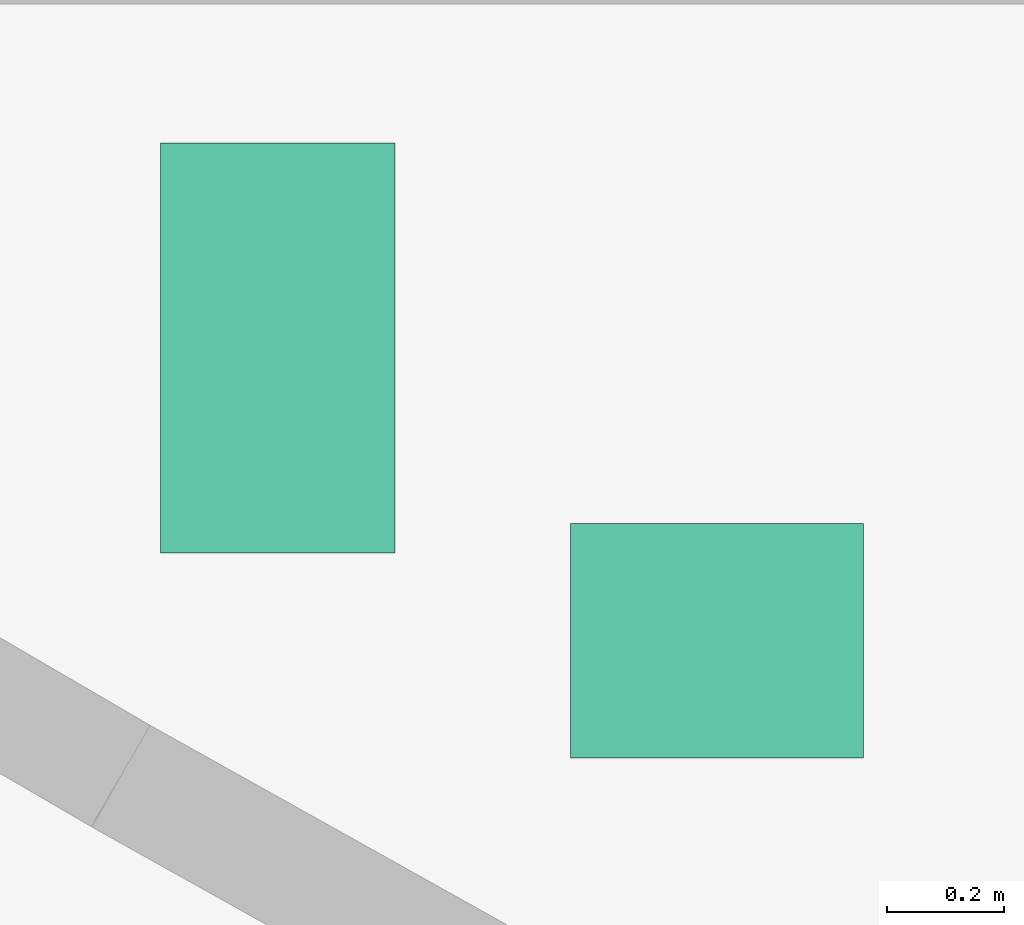
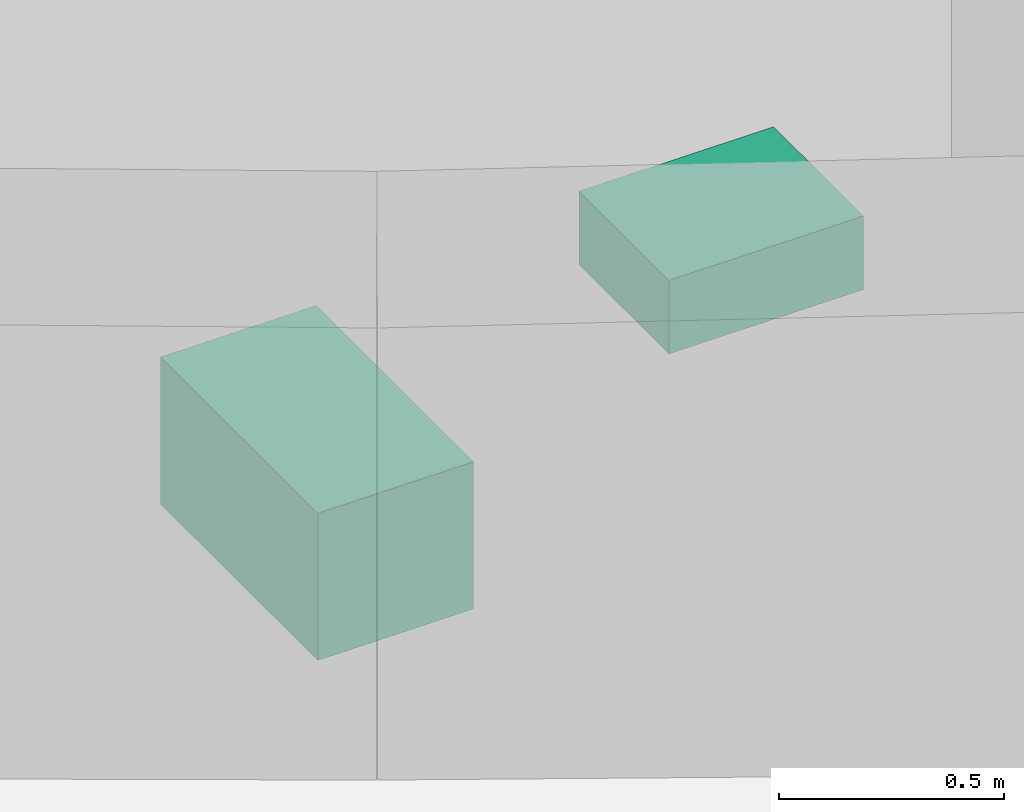
# One storey, part 20 of 20: 2 sanitary terminals.
"""IFC4 building model written with IfcOpenShell, lengths in metres."""

from ifc_helpers import new_model, si_unit, direction, frame, origin, origin_2d, place, context, subcontext, project, spatial, rectangle, extrude, material, type_object, element, save


model = new_model("IFC4")

# Units and contexts
model_context = context("Model", 3, precision=1e-05, world=origin(), true_north=direction((0.0, 1.0)))
body_context = subcontext(model_context, "Body", "Model", "MODEL_VIEW")
ifc_project = project(units=[si_unit("LENGTHUNIT", "METRE"), si_unit("AREAUNIT", "SQUARE_METRE"), si_unit("VOLUMEUNIT", "CUBIC_METRE"), si_unit("PLANEANGLEUNIT", "RADIAN"), si_unit("MASSUNIT", "GRAM", prefix="KILO")], contexts=[model_context])

# Site, building, storey
site_placement = place(None, origin())
site = spatial("IfcSite", under=ifc_project, at=site_placement, CompositionType="ELEMENT")
building_placement = place(site_placement, origin())
building = spatial("IfcBuilding", under=site, at=building_placement, Name="Ostrand Prow Hotel Tower", CompositionType="ELEMENT")
storey_placement = place(building_placement, frame((0.0, 0.0, 35.0)))
storey = spatial("IfcBuildingStorey", under=building, at=storey_placement, Name="L06", CompositionType="ELEMENT", Elevation=35.0)

# Sanitary terminals
ifc_material_1 = material(Name="Vitreous china")
sanitary_terminal_type_1 = type_object("IfcSanitaryTerminalType", Name="WC pan 360x700", PredefinedType="TOILETPAN", material=ifc_material_1)
sanitary_terminal_1_placement = place(storey_placement, frame((22.580078125, -2.17236328125, 0.0), z_axis=(0.0, 0.0, 1.0), x_axis=(1.0, 0.0, 0.0)))
element("IfcSanitaryTerminal", 1, at=sanitary_terminal_1_placement, inside=storey, type_object=sanitary_terminal_type_1, Name="PAN", PredefinedType="TOILETPAN", context=body_context, shape_type="SweptSolid", body=[
    extrude(rectangle(XDim=0.39990234375, YDim=0.699951171875, at=origin_2d()), origin(), (0.0, 0.0, 1.0), 0.39990234375),
])
ifc_material_2 = material(Name="Vitreous china")
sanitary_terminal_type_2 = type_object("IfcSanitaryTerminalType", Name="Wash hand basin 500x400", PredefinedType="WASHHANDBASIN", material=ifc_material_2)
sanitary_terminal_2_placement = place(storey_placement, frame((23.330078125, -2.67236328125, 0.7998046875), z_axis=(0.0, 0.0, 1.0), x_axis=(1.0, 0.0, 0.0)))
element("IfcSanitaryTerminal", 2, at=sanitary_terminal_2_placement, inside=storey, type_object=sanitary_terminal_type_2, Name="WASH HAND BASIN", PredefinedType="WASHHANDBASIN", context=body_context, shape_type="SweptSolid", body=[
    extrude(rectangle(XDim=0.5, YDim=0.39990234375, at=origin_2d()), origin(), (0.0, 0.0, 1.0), 0.199951171875),
])

save(model, "model.ifc")
